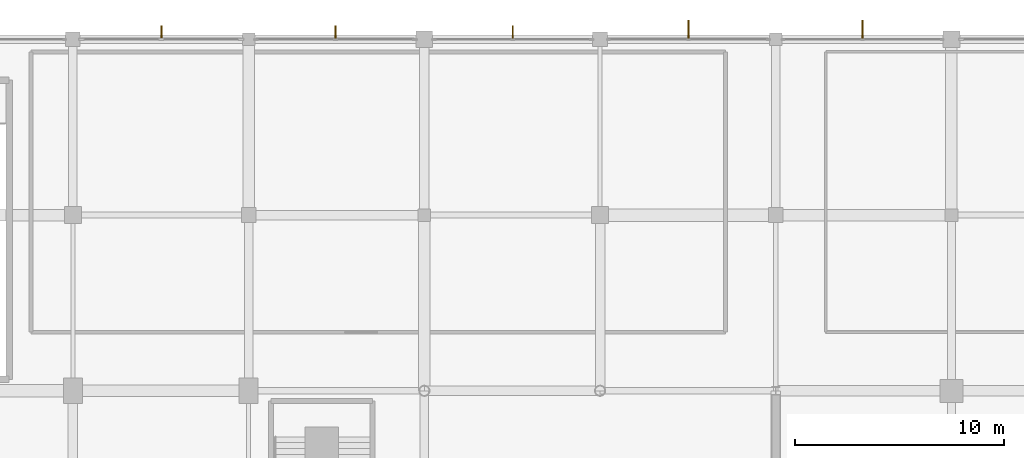
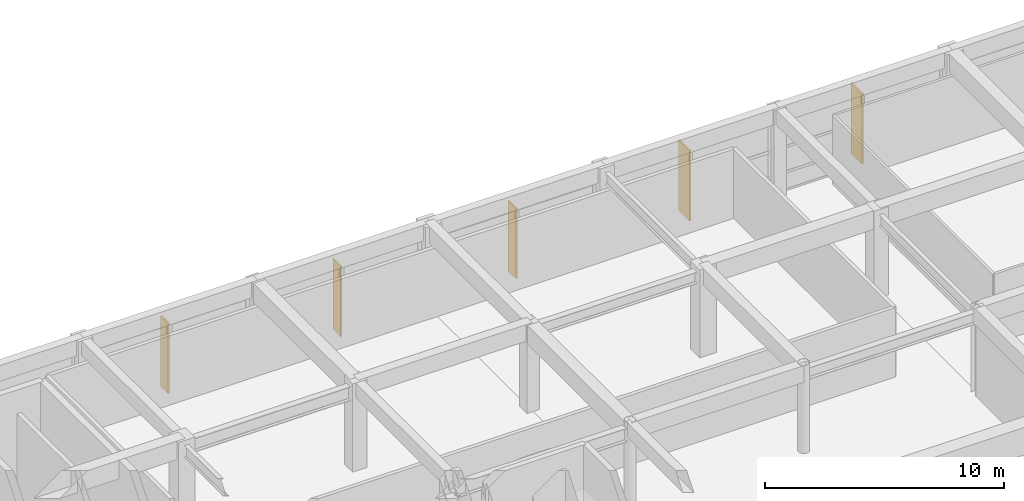
# One storey, part 54 of 56: 5 shading devices.
"""IFC4 building model written with IfcOpenShell, lengths in metres."""

from ifc_helpers import new_model, si_unit, direction, frame, origin, origin_2d, place, context, subcontext, project, spatial, rectangle, extrude, material, type_object, element, save


model = new_model("IFC4")

# Units and contexts
model_context = context("Model", 3, precision=1e-05, world=origin(), true_north=direction((0.0, 1.0)))
body_context = subcontext(model_context, "Body", "Model", "MODEL_VIEW")
ifc_project = project(units=[si_unit("LENGTHUNIT", "METRE"), si_unit("AREAUNIT", "SQUARE_METRE"), si_unit("VOLUMEUNIT", "CUBIC_METRE"), si_unit("PLANEANGLEUNIT", "RADIAN"), si_unit("MASSUNIT", "GRAM", prefix="KILO")], contexts=[model_context])

# Site, building, storey
site_placement = place(None, origin())
site = spatial("IfcSite", under=ifc_project, at=site_placement, CompositionType="ELEMENT")
building_placement = place(site_placement, origin())
building = spatial("IfcBuilding", under=site, at=building_placement, Name="Xuanlan Plaza Opera House", CompositionType="ELEMENT")
storey_placement = place(building_placement, frame((0.0, 0.0, 18.89990234375)))
storey = spatial("IfcBuildingStorey", under=building, at=storey_placement, Name="L04", CompositionType="ELEMENT", Elevation=18.89990234375)

# Shading devices
ifc_material = material(Name="Anodised Aluminium 6063-T6", Category="aluminium")
shading_device_type_1 = type_object("IfcShadingDeviceType", Name="ENV-SHD-BRS01", PredefinedType="JALOUSIE", material=ifc_material)
for number, where, z_axis, x_axis, name in (
    (1, (113.425048828125, 101.125, 0.0400390625), (0.0, 0.0, 1.0), (0.0, 1.0, 0.0), "Parametric Sunshade Fin L04-0230"),
    (2, (104.949951171875, 101.125, 0.0400390625), (0.0, 0.0, 1.0), (0.0, 1.0, 0.0), "Parametric Sunshade Fin L04-0231"),
    (3, (96.625, 101.125, 0.0400390625), (0.0, 0.0, 1.0), (0.0, 1.0, 0.0), "Parametric Sunshade Fin L04-0232"),
):
    element("IfcShadingDevice", number, at=place(storey_placement, frame(where, z_axis=z_axis, x_axis=x_axis)), inside=storey, type_object=shading_device_type_1, Name=name, PredefinedType="JALOUSIE", context=body_context, shape_type="SweptSolid", body=[
        extrude(rectangle(XDim=0.639892578125, YDim=0.070068359375, at=origin_2d()), origin(), (0.0, 0.0, 1.0), 3.60009765625),
    ])
shading_device_type_2 = type_object("IfcShadingDeviceType", Name="ENV-SHD-BRS02", PredefinedType="JALOUSIE", material=ifc_material)
for number, where, z_axis, x_axis, name in (
    (4, (130.14990234375, 101.264892578125, 0.0400390625), (0.0, 0.0, 1.0), (0.0, 1.0, 0.0), "Parametric Sunshade Fin L04-0228"),
    (5, (121.824951171875, 101.264892578125, 0.0400390625), (0.0, 0.0, 1.0), (0.0, 1.0, 0.0), "Parametric Sunshade Fin L04-0229"),
):
    element("IfcShadingDevice", number, at=place(storey_placement, frame(where, z_axis=z_axis, x_axis=x_axis)), inside=storey, type_object=shading_device_type_2, Name=name, PredefinedType="JALOUSIE", context=body_context, shape_type="SweptSolid", body=[
        extrude(rectangle(XDim=0.919921875, YDim=0.080078125, at=origin_2d()), origin(), (0.0, 0.0, 1.0), 3.60009765625),
    ])

save(model, "model.ifc")
